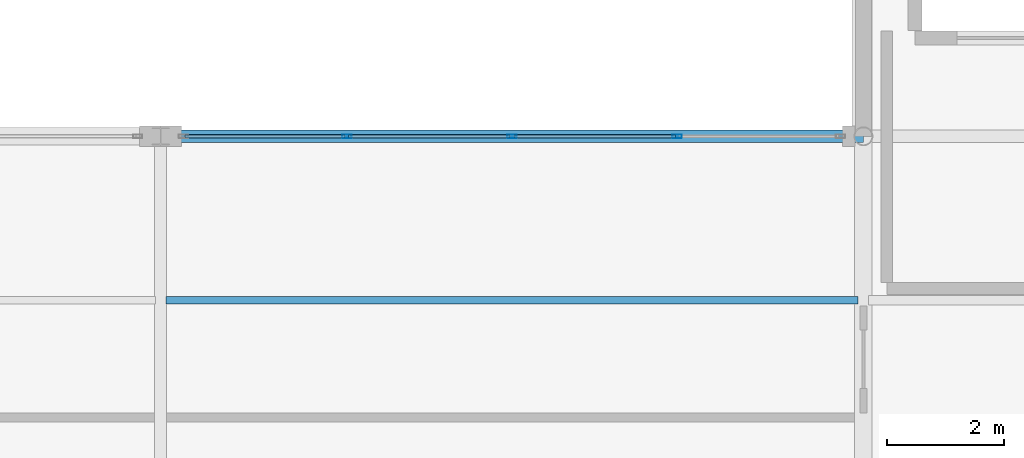
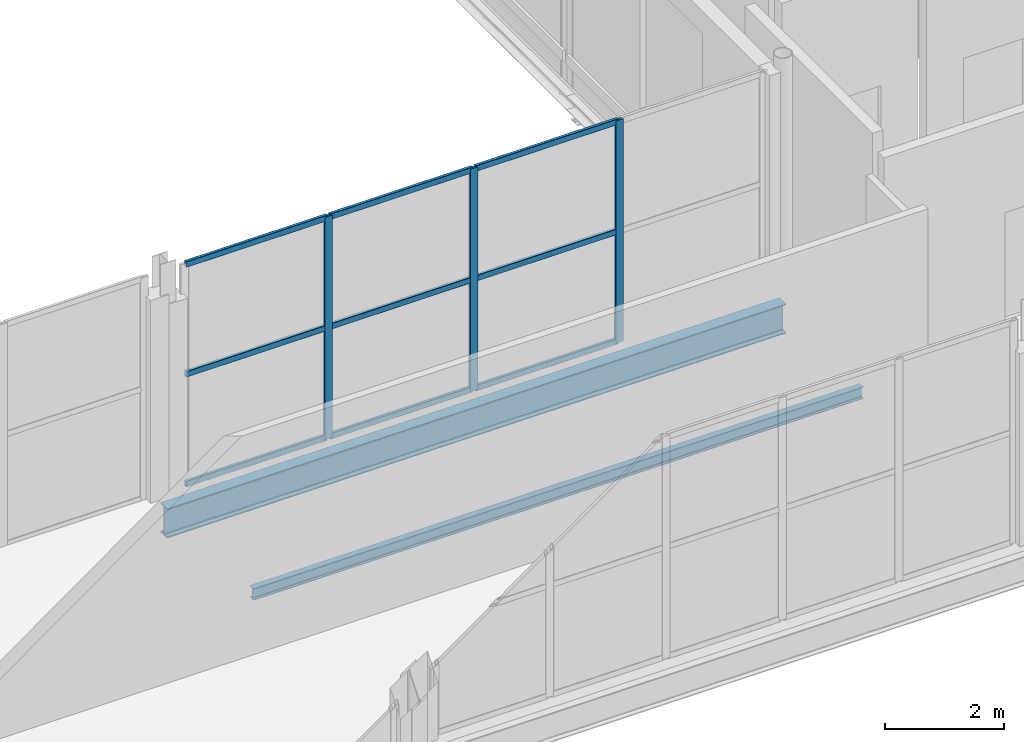
# One storey, part 66 of 120: 12 members, 2 beams, 1 element without a shape of its own.
"""IFC4 building model written with IfcOpenShell, lengths in metres."""

from ifc_helpers import new_model, si_unit, direction, frame, origin, origin_2d, place, context, subcontext, project, spatial, hollow_rectangle, i_section, extrude, material, layer, layer_set, material_profile, profile_set, type_object, element, aggregate, save


model = new_model("IFC4")

# Units and contexts
model_context = context("Model", 3, precision=1e-05, world=origin(), true_north=direction((0.0, 1.0)))
body_context = subcontext(model_context, "Body", "Model", "MODEL_VIEW")
ifc_project = project(units=[si_unit("LENGTHUNIT", "METRE"), si_unit("AREAUNIT", "SQUARE_METRE"), si_unit("VOLUMEUNIT", "CUBIC_METRE"), si_unit("PLANEANGLEUNIT", "RADIAN"), si_unit("MASSUNIT", "GRAM", prefix="KILO")], contexts=[model_context])

# Site, building, storey
site_placement = place(None, origin())
site = spatial("IfcSite", under=ifc_project, at=site_placement, CompositionType="ELEMENT")
building_placement = place(site_placement, origin())
building = spatial("IfcBuilding", under=site, at=building_placement, Name="Vekula Escarpment Museum", CompositionType="ELEMENT")
storey_placement = place(building_placement, frame((0.0, 0.0, 13.199951171875)))
storey = spatial("IfcBuildingStorey", under=building, at=storey_placement, Name="L03", CompositionType="ELEMENT", Elevation=13.199951171875)

# Beams
ifc_material_1 = material(Name="Steel S355", Category="steel")
ifc_material_profile_1 = material_profile(ifc_material_1, i_section(OverallWidth=0.219970703125, OverallDepth=0.60009765625, WebThickness=0.011962890625, FlangeThickness=0.01904296875, FilletRadius=0.02392578125, at=origin_2d()), Name="IPE 600")
ifc_profile_set_1 = profile_set([ifc_material_profile_1], Name="Steel S355")
beam_type_1 = type_object("IfcBeamType", Name="BM-GIRD-IPE600", PredefinedType="BEAM", material=ifc_profile_set_1)
beam_1_placement = place(storey_placement, frame((155.0, 76.39990234375, -0.579833984375), z_axis=(1.0, 0.0, 0.0), x_axis=(0.0, 1.0, 0.0)))
element("IfcBeam", 1, at=beam_1_placement, inside=storey, type_object=beam_type_1, Name="Beam X L03 1394", PredefinedType="BEAM", context=body_context, shape_type="SweptSolid", body=[
    extrude(i_section(OverallWidth=0.219970703125, OverallDepth=0.60009765625, WebThickness=0.011962890625, FlangeThickness=0.01904296875, FilletRadius=0.02392578125, at=origin_2d()), origin(), (0.0, 0.0, 1.0), 12.0),
])
ifc_material_2 = material(Name="Steel S355", Category="steel")
ifc_material_profile_2 = material_profile(ifc_material_2, i_section(OverallWidth=0.1201171875, OverallDepth=0.239990234375, WebThickness=0.006103515625, FlangeThickness=0.009765625, FilletRadius=0.014892578125, at=origin_2d()), Name="IPE 240")
ifc_profile_set_2 = profile_set([ifc_material_profile_2], Name="Steel S355")
beam_type_2 = type_object("IfcBeamType", Name="BM-JST-IPE240", PredefinedType="JOIST", material=ifc_profile_set_2)
beam_2_placement = place(storey_placement, frame((155.090087890625, 73.60009765625, -0.39990234375), z_axis=(1.0, 0.0, 0.0), x_axis=(0.0, 1.0, 0.0)))
element("IfcBeam", 2, at=beam_2_placement, inside=storey, type_object=beam_type_2, Name="Secondary Joist L03 1091", PredefinedType="JOIST", context=body_context, shape_type="SweptSolid", body=[
    extrude(i_section(OverallWidth=0.1201171875, OverallDepth=0.239990234375, WebThickness=0.006103515625, FlangeThickness=0.009765625, FilletRadius=0.014892578125, at=origin_2d()), origin(), (0.0, 0.0, 1.0), 11.81982421875),
])

# Curtain wall, members
ifc_material_3 = material(Name="Aluminium thermally broken framing", Category="aluminium")
ifc_layer = layer(ifc_material_3, 0.179931640625)
ifc_layer_set = layer_set([ifc_layer], Name="Aluminium thermally broken framing")
curtain_wall_type = type_object("IfcCurtainWallType", Name="CW-SYS-07", PredefinedType="NOTDEFINED", material=ifc_layer_set)
curtain_wall_placement = place(storey_placement, origin())
curtain_wall = element("IfcCurtainWall", 3, at=curtain_wall_placement, inside=storey, type_object=curtain_wall_type, Name="Curtain Wall CW-L03-117", PredefinedType="NOTDEFINED")
ifc_material_4 = material(Name="Aluminium anodized mullion", Category="aluminium")
ifc_material_profile_3 = material_profile(ifc_material_4, hollow_rectangle(XDim=0.06005859375, YDim=0.159912109375, WallThickness=0.00390625, InnerFilletRadius=0.00390625, OuterFilletRadius=0.008056640625, at=origin_2d()), Name="ALU 160x60x4")
ifc_profile_set_3 = profile_set([ifc_material_profile_3], Name="Aluminium anodized mullion")
member_type_1 = type_object("IfcMemberType", Name="CW-MUL-160", PredefinedType="MULLION", material=ifc_profile_set_3)
member_1_placement = place(storey_placement, frame((163.820068359375, 76.39990234375, 0.0), z_axis=(0.0, 0.0, 1.0), x_axis=(0.0, -1.0, 0.0)))
member_1 = element("IfcMember", 4, at=member_1_placement, type_object=member_type_1, Name="CW-07 mullion 2", PredefinedType="MULLION", context=body_context, shape_type="SweptSolid", body=[
    extrude(hollow_rectangle(XDim=0.06005859375, YDim=0.159912109375, WallThickness=0.00390625, InnerFilletRadius=0.00390625, OuterFilletRadius=0.008056640625, at=origin_2d()), origin(), (0.0, 0.0, 1.0), 4.56005859375),
])
member_2_placement = place(storey_placement, frame((161.0, 76.39990234375, 0.0), z_axis=(0.0, 0.0, 1.0), x_axis=(0.0, -1.0, 0.0)))
member_2 = element("IfcMember", 5, at=member_2_placement, type_object=member_type_1, Name="CW-07 mullion 3", PredefinedType="MULLION", context=body_context, shape_type="SweptSolid", body=[
    extrude(hollow_rectangle(XDim=0.06005859375, YDim=0.159912109375, WallThickness=0.00390625, InnerFilletRadius=0.00390625, OuterFilletRadius=0.008056640625, at=origin_2d()), origin(), (0.0, 0.0, 1.0), 4.56005859375),
])
member_3_placement = place(storey_placement, frame((158.179931640625, 76.39990234375, 0.0), z_axis=(0.0, 0.0, 1.0), x_axis=(0.0, -1.0, 0.0)))
member_3 = element("IfcMember", 6, at=member_3_placement, type_object=member_type_1, Name="CW-07 mullion 4", PredefinedType="MULLION", context=body_context, shape_type="SweptSolid", body=[
    extrude(hollow_rectangle(XDim=0.06005859375, YDim=0.159912109375, WallThickness=0.00390625, InnerFilletRadius=0.00390625, OuterFilletRadius=0.008056640625, at=origin_2d()), origin(), (0.0, 0.0, 1.0), 4.56005859375),
])
ifc_material_5 = material(Name="Aluminium anodized transom", Category="aluminium")
ifc_material_profile_4 = material_profile(ifc_material_5, hollow_rectangle(XDim=0.06005859375, YDim=0.1201171875, WallThickness=0.00390625, InnerFilletRadius=0.00390625, OuterFilletRadius=0.008056640625, at=origin_2d()), Name="ALU 120x60x4")
ifc_profile_set_4 = profile_set([ifc_material_profile_4], Name="Aluminium anodized transom")
member_type_2 = type_object("IfcMemberType", Name="CW-TRN-120", PredefinedType="USERDEFINED", material=ifc_profile_set_4)
member_4_placement = place(storey_placement, frame((163.7900390625, 76.39990234375, 0.030029296875), z_axis=(-1.0, 0.0, 0.0), x_axis=(0.0, -1.0, 0.0)))
member_4 = element("IfcMember", 7, at=member_4_placement, type_object=member_type_2, Name="CW-07 transom 2.1", ObjectType="TRANSOM", PredefinedType="USERDEFINED", context=body_context, shape_type="SweptSolid", body=[
    extrude(hollow_rectangle(XDim=0.06005859375, YDim=0.1201171875, WallThickness=0.00390625, InnerFilletRadius=0.00390625, OuterFilletRadius=0.008056640625, at=origin_2d()), origin(), (0.0, 0.0, 1.0), 2.760009765625),
])
member_5_placement = place(storey_placement, frame((163.7900390625, 76.39990234375, 2.280029296875), z_axis=(-1.0, 0.0, 0.0), x_axis=(0.0, -1.0, 0.0)))
member_5 = element("IfcMember", 8, at=member_5_placement, type_object=member_type_2, Name="CW-07 transom 2.2", ObjectType="TRANSOM", PredefinedType="USERDEFINED", context=body_context, shape_type="SweptSolid", body=[
    extrude(hollow_rectangle(XDim=0.06005859375, YDim=0.1201171875, WallThickness=0.00390625, InnerFilletRadius=0.00390625, OuterFilletRadius=0.008056640625, at=origin_2d()), origin(), (0.0, 0.0, 1.0), 2.760009765625),
])
member_6_placement = place(storey_placement, frame((163.7900390625, 76.39990234375, 4.530029296875), z_axis=(-1.0, 0.0, 0.0), x_axis=(0.0, -1.0, 0.0)))
member_6 = element("IfcMember", 9, at=member_6_placement, type_object=member_type_2, Name="CW-07 transom 2.3", ObjectType="TRANSOM", PredefinedType="USERDEFINED", context=body_context, shape_type="SweptSolid", body=[
    extrude(hollow_rectangle(XDim=0.06005859375, YDim=0.1201171875, WallThickness=0.00390625, InnerFilletRadius=0.00390625, OuterFilletRadius=0.008056640625, at=origin_2d()), origin(), (0.0, 0.0, 1.0), 2.760009765625),
])
member_7_placement = place(storey_placement, frame((160.969970703125, 76.39990234375, 0.030029296875), z_axis=(-1.0, 0.0, 0.0), x_axis=(0.0, -1.0, 0.0)))
member_7 = element("IfcMember", 10, at=member_7_placement, type_object=member_type_2, Name="CW-07 transom 3.1", ObjectType="TRANSOM", PredefinedType="USERDEFINED", context=body_context, shape_type="SweptSolid", body=[
    extrude(hollow_rectangle(XDim=0.06005859375, YDim=0.1201171875, WallThickness=0.00390625, InnerFilletRadius=0.00390625, OuterFilletRadius=0.008056640625, at=origin_2d()), origin(), (0.0, 0.0, 1.0), 2.760009765625),
])
member_8_placement = place(storey_placement, frame((160.969970703125, 76.39990234375, 2.280029296875), z_axis=(-1.0, 0.0, 0.0), x_axis=(0.0, -1.0, 0.0)))
member_8 = element("IfcMember", 11, at=member_8_placement, type_object=member_type_2, Name="CW-07 transom 3.2", ObjectType="TRANSOM", PredefinedType="USERDEFINED", context=body_context, shape_type="SweptSolid", body=[
    extrude(hollow_rectangle(XDim=0.06005859375, YDim=0.1201171875, WallThickness=0.00390625, InnerFilletRadius=0.00390625, OuterFilletRadius=0.008056640625, at=origin_2d()), origin(), (0.0, 0.0, 1.0), 2.760009765625),
])
member_9_placement = place(storey_placement, frame((160.969970703125, 76.39990234375, 4.530029296875), z_axis=(-1.0, 0.0, 0.0), x_axis=(0.0, -1.0, 0.0)))
member_9 = element("IfcMember", 12, at=member_9_placement, type_object=member_type_2, Name="CW-07 transom 3.3", ObjectType="TRANSOM", PredefinedType="USERDEFINED", context=body_context, shape_type="SweptSolid", body=[
    extrude(hollow_rectangle(XDim=0.06005859375, YDim=0.1201171875, WallThickness=0.00390625, InnerFilletRadius=0.00390625, OuterFilletRadius=0.008056640625, at=origin_2d()), origin(), (0.0, 0.0, 1.0), 2.760009765625),
])
member_10_placement = place(storey_placement, frame((158.14990234375, 76.39990234375, 0.030029296875), z_axis=(-1.0, 0.0, 0.0), x_axis=(0.0, -1.0, 0.0)))
member_10 = element("IfcMember", 13, at=member_10_placement, type_object=member_type_2, Name="CW-07 transom 4.1", ObjectType="TRANSOM", PredefinedType="USERDEFINED", context=body_context, shape_type="SweptSolid", body=[
    extrude(hollow_rectangle(XDim=0.06005859375, YDim=0.1201171875, WallThickness=0.00390625, InnerFilletRadius=0.00390625, OuterFilletRadius=0.008056640625, at=origin_2d()), origin(), (0.0, 0.0, 1.0), 2.72998046875),
])
member_11_placement = place(storey_placement, frame((158.14990234375, 76.39990234375, 2.280029296875), z_axis=(-1.0, 0.0, 0.0), x_axis=(0.0, -1.0, 0.0)))
member_11 = element("IfcMember", 14, at=member_11_placement, type_object=member_type_2, Name="CW-07 transom 4.2", ObjectType="TRANSOM", PredefinedType="USERDEFINED", context=body_context, shape_type="SweptSolid", body=[
    extrude(hollow_rectangle(XDim=0.06005859375, YDim=0.1201171875, WallThickness=0.00390625, InnerFilletRadius=0.00390625, OuterFilletRadius=0.008056640625, at=origin_2d()), origin(), (0.0, 0.0, 1.0), 2.72998046875),
])
member_12_placement = place(storey_placement, frame((158.14990234375, 76.39990234375, 4.530029296875), z_axis=(-1.0, 0.0, 0.0), x_axis=(0.0, -1.0, 0.0)))
member_12 = element("IfcMember", 15, at=member_12_placement, type_object=member_type_2, Name="CW-07 transom 4.3", ObjectType="TRANSOM", PredefinedType="USERDEFINED", context=body_context, shape_type="SweptSolid", body=[
    extrude(hollow_rectangle(XDim=0.06005859375, YDim=0.1201171875, WallThickness=0.00390625, InnerFilletRadius=0.00390625, OuterFilletRadius=0.008056640625, at=origin_2d()), origin(), (0.0, 0.0, 1.0), 2.72998046875),
])
aggregate(curtain_wall, [member_1, member_2, member_3, member_4, member_5, member_6, member_7, member_8, member_9, member_10, member_11, member_12])

save(model, "model.ifc")
